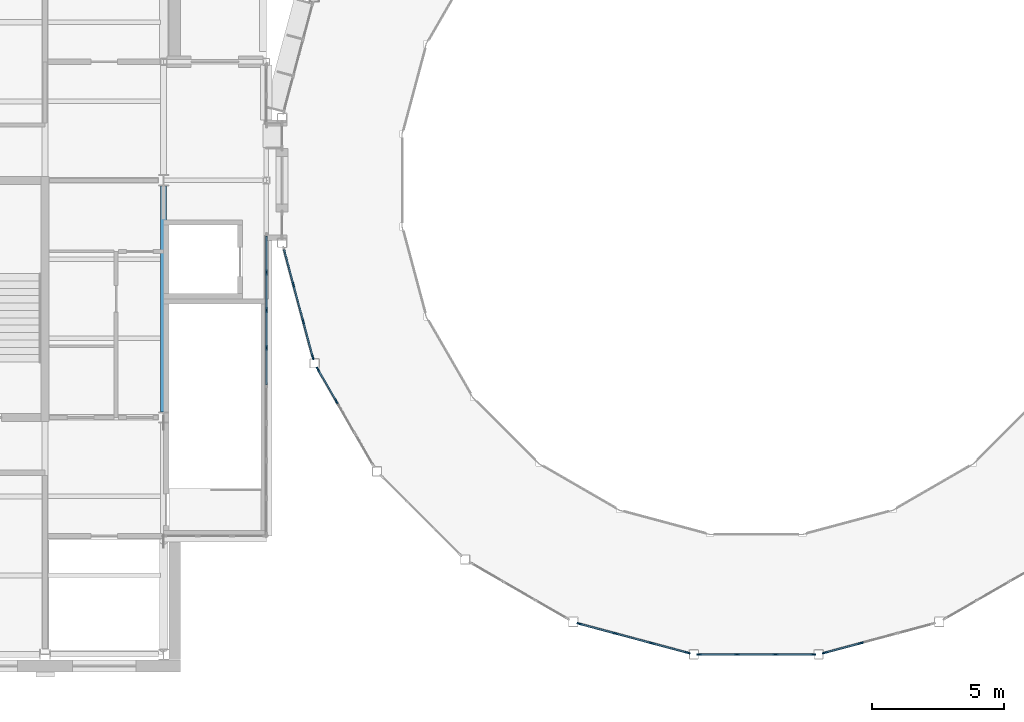
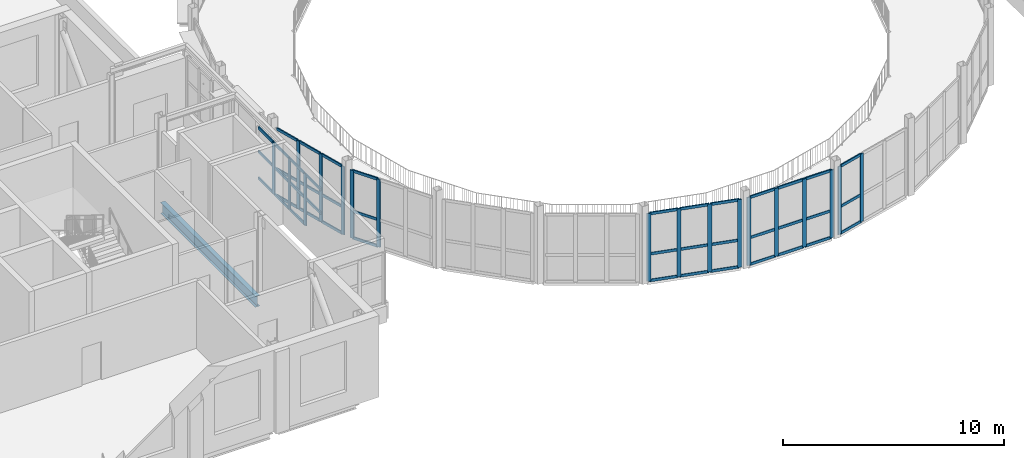
# One storey, part 13 of 74: 62 members, 1 beam, 6 elements without a shape of their own.
"""IFC4 building model written with IfcOpenShell, lengths in metres."""

from ifc_helpers import new_model, si_unit, direction, frame, origin, origin_2d, place, context, subcontext, project, spatial, rectangle, i_section, extrude, material, layer, layer_set, material_profile, profile_set, type_object, element, aggregate, save


model = new_model("IFC4")

# Units and contexts
model_context = context("Model", 3, precision=1e-05, world=origin(), true_north=direction((0.0, 1.0)))
body_context = subcontext(model_context, "Body", "Model", "MODEL_VIEW")
ifc_project = project(units=[si_unit("LENGTHUNIT", "METRE"), si_unit("AREAUNIT", "SQUARE_METRE"), si_unit("VOLUMEUNIT", "CUBIC_METRE"), si_unit("PLANEANGLEUNIT", "RADIAN"), si_unit("MASSUNIT", "GRAM", prefix="KILO")], contexts=[model_context])

# Site, building, storey
site_placement = place(None, origin())
site = spatial("IfcSite", under=ifc_project, at=site_placement, CompositionType="ELEMENT")
building_placement = place(site_placement, origin())
building = spatial("IfcBuilding", under=site, at=building_placement, Name="Hortulan Conservatory and Botanical Research Centre", CompositionType="ELEMENT")
storey_placement = place(building_placement, frame((0.0, 0.0, 6.0)))
storey = spatial("IfcBuildingStorey", under=building, at=storey_placement, Name="L01", CompositionType="ELEMENT", Elevation=6.0)

# Curtain wall, members
ifc_material_1 = material(Name="Bronze-finished aluminium", Category="aluminium")
ifc_layer = layer(ifc_material_1, 0.10009765625)
ifc_layer_set = layer_set([ifc_layer], Name="Bronze-framed Curtain Wall 1500 module")
curtain_wall_type = type_object("IfcCurtainWallType", Name="Bronze-framed Curtain Wall 1500 module", PredefinedType="NOTDEFINED", material=ifc_layer_set)
curtain_wall_1_placement = place(storey_placement, origin())
curtain_wall_1 = element("IfcCurtainWall", 1, at=curtain_wall_1_placement, inside=storey, type_object=curtain_wall_type, Name="Curtain wall", PredefinedType="NOTDEFINED")
ifc_material_profile_1 = material_profile(ifc_material_1, rectangle(XDim=0.06005859375, YDim=0.199951171875, at=origin_2d()), Name="Bronze Mullion 60x200")
ifc_profile_set_1 = profile_set([ifc_material_profile_1], Name="Bronze-finished aluminium")
member_type_1 = type_object("IfcMemberType", Name="Bronze Mullion 60x200", PredefinedType="MULLION", material=ifc_profile_set_1)
member_1_placement = place(storey_placement, frame((37.16357421875, 11.2880859375, 0.0), z_axis=(0.0, 0.0, 1.0), x_axis=(-0.965922372015, -0.258831936284, 0.0)))
member_1 = element("IfcMember", 2, at=member_1_placement, type_object=member_type_1, Name="CW1 mullion 1", PredefinedType="MULLION", context=body_context, shape_type="SweptSolid", body=[
    extrude(rectangle(XDim=0.06005859375, YDim=0.199951171875, at=origin_2d()), origin(), (0.0, 0.0, 1.0), 3.75),
])
member_2_placement = place(storey_placement, frame((36.79931640625, 12.64697265625, 0.0), z_axis=(0.0, 0.0, 1.0), x_axis=(-0.965922372015, -0.258831936284, 0.0)))
member_2 = element("IfcMember", 3, at=member_2_placement, type_object=member_type_1, Name="CW1 mullion 2", PredefinedType="MULLION", context=body_context, shape_type="SweptSolid", body=[
    extrude(rectangle(XDim=0.06005859375, YDim=0.199951171875, at=origin_2d()), origin(), (0.0, 0.0, 1.0), 3.75),
])
member_3_placement = place(storey_placement, frame((36.427490234375, 14.034912109375, 0.0), z_axis=(0.0, 0.0, 1.0), x_axis=(-0.965922372015, -0.258831936284, 0.0)))
member_3 = element("IfcMember", 4, at=member_3_placement, type_object=member_type_1, Name="CW1 mullion 3", PredefinedType="MULLION", context=body_context, shape_type="SweptSolid", body=[
    extrude(rectangle(XDim=0.06005859375, YDim=0.199951171875, at=origin_2d()), origin(), (0.0, 0.0, 1.0), 3.75),
])

curtain_wall_2_placement = place(storey_placement, origin())
curtain_wall_2 = element("IfcCurtainWall", 5, at=curtain_wall_2_placement, inside=storey, type_object=curtain_wall_type, Name="Curtain wall", PredefinedType="NOTDEFINED")
member_4_placement = place(storey_placement, frame((38.056396484375, 9.614990234375, 0.0), z_axis=(0.0, 0.0, 1.0), x_axis=(-0.866036280655, -0.499981160235, 0.0)))
member_4 = element("IfcMember", 6, at=member_4_placement, type_object=member_type_1, Name="CW1 mullion 3", PredefinedType="MULLION", context=body_context, shape_type="SweptSolid", body=[
    extrude(rectangle(XDim=0.06005859375, YDim=0.199951171875, at=origin_2d()), origin(), (0.0, 0.0, 1.0), 3.75),
])
member_5_placement = place(storey_placement, frame((37.361328125, 10.81884765625, 0.0), z_axis=(0.0, 0.0, 1.0), x_axis=(-0.866036280655, -0.499981160235, 0.0)))
member_5 = element("IfcMember", 7, at=member_5_placement, type_object=member_type_1, Name="CW1 mullion 4", PredefinedType="MULLION", context=body_context, shape_type="SweptSolid", body=[
    extrude(rectangle(XDim=0.06005859375, YDim=0.199951171875, at=origin_2d()), origin(), (0.0, 0.0, 1.0), 3.75),
])

curtain_wall_3_placement = place(storey_placement, origin())
curtain_wall_3 = element("IfcCurtainWall", 8, at=curtain_wall_3_placement, inside=storey, type_object=curtain_wall_type, Name="Curtain wall", PredefinedType="NOTDEFINED")
member_6_placement = place(storey_placement, frame((51.39404296875, 0.063232421875, 0.0), z_axis=(0.0, 0.0, 1.0), x_axis=(-0.258831936284, -0.965922372015, 0.0)))
member_6 = element("IfcMember", 9, at=member_6_placement, type_object=member_type_1, Name="CW1 mullion 1", PredefinedType="MULLION", context=body_context, shape_type="SweptSolid", body=[
    extrude(rectangle(XDim=0.06005859375, YDim=0.199951171875, at=origin_2d()), origin(), (0.0, 0.0, 1.0), 3.75),
])
member_7_placement = place(storey_placement, frame((50.034912109375, 0.427490234375, 0.0), z_axis=(0.0, 0.0, 1.0), x_axis=(-0.258831936284, -0.965922372015, 0.0)))
member_7 = element("IfcMember", 10, at=member_7_placement, type_object=member_type_1, Name="CW1 mullion 2", PredefinedType="MULLION", context=body_context, shape_type="SweptSolid", body=[
    extrude(rectangle(XDim=0.06005859375, YDim=0.199951171875, at=origin_2d()), origin(), (0.0, 0.0, 1.0), 3.75),
])
member_8_placement = place(storey_placement, frame((48.64697265625, 0.79931640625, 0.0), z_axis=(0.0, 0.0, 1.0), x_axis=(-0.258831936284, -0.965922372015, 0.0)))
member_8 = element("IfcMember", 11, at=member_8_placement, type_object=member_type_1, Name="CW1 mullion 3", PredefinedType="MULLION", context=body_context, shape_type="SweptSolid", body=[
    extrude(rectangle(XDim=0.06005859375, YDim=0.199951171875, at=origin_2d()), origin(), (0.0, 0.0, 1.0), 3.75),
])
member_9_placement = place(storey_placement, frame((47.2880859375, 1.16357421875, 0.0), z_axis=(0.0, 0.0, 1.0), x_axis=(-0.258831936284, -0.965922372015, 0.0)))
member_9 = element("IfcMember", 12, at=member_9_placement, type_object=member_type_1, Name="CW1 mullion 4", PredefinedType="MULLION", context=body_context, shape_type="SweptSolid", body=[
    extrude(rectangle(XDim=0.06005859375, YDim=0.199951171875, at=origin_2d()), origin(), (0.0, 0.0, 1.0), 3.75),
])

curtain_wall_4_placement = place(storey_placement, origin())
curtain_wall_4 = element("IfcCurtainWall", 13, at=curtain_wall_4_placement, inside=storey, type_object=curtain_wall_type, Name="Curtain wall", PredefinedType="NOTDEFINED")
member_10_placement = place(storey_placement, frame((56.1650390625, 0.0, 0.0), z_axis=(0.0, 0.0, 1.0), x_axis=(0.0, -1.0, 0.0)))
member_10 = element("IfcMember", 14, at=member_10_placement, type_object=member_type_1, Name="CW1 mullion 1", PredefinedType="MULLION", context=body_context, shape_type="SweptSolid", body=[
    extrude(rectangle(XDim=0.06005859375, YDim=0.199951171875, at=origin_2d()), origin(), (0.0, 0.0, 1.0), 3.75),
])
member_11_placement = place(storey_placement, frame((54.731689453125, 0.0, 0.0), z_axis=(0.0, 0.0, 1.0), x_axis=(0.0, -1.0, 0.0)))
member_11 = element("IfcMember", 15, at=member_11_placement, type_object=member_type_1, Name="CW1 mullion 2", PredefinedType="MULLION", context=body_context, shape_type="SweptSolid", body=[
    extrude(rectangle(XDim=0.06005859375, YDim=0.199951171875, at=origin_2d()), origin(), (0.0, 0.0, 1.0), 3.75),
])
member_12_placement = place(storey_placement, frame((53.268310546875, 0.0, 0.0), z_axis=(0.0, 0.0, 1.0), x_axis=(0.0, -1.0, 0.0)))
member_12 = element("IfcMember", 16, at=member_12_placement, type_object=member_type_1, Name="CW1 mullion 3", PredefinedType="MULLION", context=body_context, shape_type="SweptSolid", body=[
    extrude(rectangle(XDim=0.06005859375, YDim=0.199951171875, at=origin_2d()), origin(), (0.0, 0.0, 1.0), 3.75),
])
member_13_placement = place(storey_placement, frame((51.8349609375, 0.0, 0.0), z_axis=(0.0, 0.0, 1.0), x_axis=(0.0, -1.0, 0.0)))
member_13 = element("IfcMember", 17, at=member_13_placement, type_object=member_type_1, Name="CW1 mullion 4", PredefinedType="MULLION", context=body_context, shape_type="SweptSolid", body=[
    extrude(rectangle(XDim=0.06005859375, YDim=0.199951171875, at=origin_2d()), origin(), (0.0, 0.0, 1.0), 3.75),
])

curtain_wall_5_placement = place(storey_placement, origin())
curtain_wall_5 = element("IfcCurtainWall", 18, at=curtain_wall_5_placement, inside=storey, type_object=curtain_wall_type, Name="Curtain wall", PredefinedType="NOTDEFINED")
member_14_placement = place(storey_placement, frame((57.965087890625, 0.427490234375, 0.0), z_axis=(0.0, 0.0, 1.0), x_axis=(0.258831936284, -0.965922372015, 0.0)))
member_14 = element("IfcMember", 19, at=member_14_placement, type_object=member_type_1, Name="CW1 mullion 3", PredefinedType="MULLION", context=body_context, shape_type="SweptSolid", body=[
    extrude(rectangle(XDim=0.06005859375, YDim=0.199951171875, at=origin_2d()), origin(), (0.0, 0.0, 1.0), 3.75),
])
member_15_placement = place(storey_placement, frame((56.60595703125, 0.063232421875, 0.0), z_axis=(0.0, 0.0, 1.0), x_axis=(0.258831936284, -0.965922372015, 0.0)))
member_15 = element("IfcMember", 20, at=member_15_placement, type_object=member_type_1, Name="CW1 mullion 4", PredefinedType="MULLION", context=body_context, shape_type="SweptSolid", body=[
    extrude(rectangle(XDim=0.06005859375, YDim=0.199951171875, at=origin_2d()), origin(), (0.0, 0.0, 1.0), 3.75),
])

curtain_wall_6_placement = place(storey_placement, origin())
curtain_wall_6 = element("IfcCurtainWall", 21, at=curtain_wall_6_placement, inside=storey, type_object=curtain_wall_type, Name="Curtain wall", PredefinedType="NOTDEFINED")
member_16_placement = place(storey_placement, frame((35.39990234375, 14.50146484375, 0.89990234375), z_axis=(0.0, 0.0, 1.0), x_axis=(1.0, 0.0, 0.0)))
member_16 = element("IfcMember", 22, at=member_16_placement, type_object=member_type_1, Name="CW1 mullion 2", PredefinedType="MULLION", context=body_context, shape_type="SweptSolid", body=[
    extrude(rectangle(XDim=0.06005859375, YDim=0.199951171875, at=origin_2d()), origin(), (0.0, 0.0, 1.0), 2.840087890625),
])
member_17_placement = place(storey_placement, frame((35.39990234375, 13.07275390625, 0.89990234375), z_axis=(0.0, 0.0, 1.0), x_axis=(1.0, 0.0, 0.0)))
member_17 = element("IfcMember", 23, at=member_17_placement, type_object=member_type_1, Name="CW1 mullion 3", PredefinedType="MULLION", context=body_context, shape_type="SweptSolid", body=[
    extrude(rectangle(XDim=0.06005859375, YDim=0.199951171875, at=origin_2d()), origin(), (0.0, 0.0, 1.0), 2.840087890625),
])
member_18_placement = place(storey_placement, frame((35.39990234375, 11.64404296875, 0.89990234375), z_axis=(0.0, 0.0, 1.0), x_axis=(1.0, 0.0, 0.0)))
member_18 = element("IfcMember", 24, at=member_18_placement, type_object=member_type_1, Name="CW1 mullion 4", PredefinedType="MULLION", context=body_context, shape_type="SweptSolid", body=[
    extrude(rectangle(XDim=0.06005859375, YDim=0.199951171875, at=origin_2d()), origin(), (0.0, 0.0, 1.0), 2.840087890625),
])

# Member
ifc_material_profile_2 = material_profile(ifc_material_1, rectangle(XDim=0.06005859375, YDim=0.14990234375, at=origin_2d()), Name="Bronze Transom 60x150")
ifc_profile_set_2 = profile_set([ifc_material_profile_2], Name="Bronze-finished aluminium")
member_type_2 = type_object("IfcMemberType", Name="Bronze Transom 60x150", PredefinedType="USERDEFINED", material=ifc_profile_set_2)
member_19_placement = place(storey_placement, frame((37.15576171875, 11.31689453125, 0.030029296875), z_axis=(-0.258835745824, 0.965921351189, 0.0), x_axis=(-0.965921351189, -0.258835745824, 0.0)))
member_19 = element("IfcMember", 25, at=member_19_placement, type_object=member_type_2, Name="CW1 transom 1.1", ObjectType="TRANSOM", PredefinedType="USERDEFINED", context=body_context, shape_type="SweptSolid", body=[
    extrude(rectangle(XDim=0.06005859375, YDim=0.14990234375, at=origin_2d()), origin(), (0.0, 0.0, 1.0), 1.346923828125),
])

member_20_placement = place(storey_placement, frame((37.15576171875, 11.31689453125, 1.5), z_axis=(-0.258835745824, 0.965921351189, 0.0), x_axis=(-0.965921351189, -0.258835745824, 0.0)))
member_20 = element("IfcMember", 26, at=member_20_placement, type_object=member_type_2, Name="CW1 transom 1.2", ObjectType="TRANSOM", PredefinedType="USERDEFINED", context=body_context, shape_type="SweptSolid", body=[
    extrude(rectangle(XDim=0.06005859375, YDim=0.14990234375, at=origin_2d()), origin(), (0.0, 0.0, 1.0), 1.346923828125),
])

member_21_placement = place(storey_placement, frame((37.15576171875, 11.31689453125, 3.719970703125), z_axis=(-0.258835745824, 0.965921351189, 0.0), x_axis=(-0.965921351189, -0.258835745824, 0.0)))
member_21 = element("IfcMember", 27, at=member_21_placement, type_object=member_type_2, Name="CW1 transom 1.3", ObjectType="TRANSOM", PredefinedType="USERDEFINED", context=body_context, shape_type="SweptSolid", body=[
    extrude(rectangle(XDim=0.06005859375, YDim=0.14990234375, at=origin_2d()), origin(), (0.0, 0.0, 1.0), 1.346923828125),
])

member_22_placement = place(storey_placement, frame((36.79150390625, 12.676025390625, 0.030029296875), z_axis=(-0.258688817498, 0.965960711262, 0.0), x_axis=(-0.965960711262, -0.258688817498, 0.0)))
member_22 = element("IfcMember", 28, at=member_22_placement, type_object=member_type_2, Name="CW1 transom 2.1", ObjectType="TRANSOM", PredefinedType="USERDEFINED", context=body_context, shape_type="SweptSolid", body=[
    extrude(rectangle(XDim=0.06005859375, YDim=0.14990234375, at=origin_2d()), origin(), (0.0, 0.0, 1.0), 1.376953125),
])

member_23_placement = place(storey_placement, frame((36.79150390625, 12.676025390625, 1.5), z_axis=(-0.258688817498, 0.965960711262, 0.0), x_axis=(-0.965960711262, -0.258688817498, 0.0)))
member_23 = element("IfcMember", 29, at=member_23_placement, type_object=member_type_2, Name="CW1 transom 2.2", ObjectType="TRANSOM", PredefinedType="USERDEFINED", context=body_context, shape_type="SweptSolid", body=[
    extrude(rectangle(XDim=0.06005859375, YDim=0.14990234375, at=origin_2d()), origin(), (0.0, 0.0, 1.0), 1.376953125),
])

member_24_placement = place(storey_placement, frame((36.79150390625, 12.676025390625, 3.719970703125), z_axis=(-0.258688817498, 0.965960711262, 0.0), x_axis=(-0.965960711262, -0.258688817498, 0.0)))
member_24 = element("IfcMember", 30, at=member_24_placement, type_object=member_type_2, Name="CW1 transom 2.3", ObjectType="TRANSOM", PredefinedType="USERDEFINED", context=body_context, shape_type="SweptSolid", body=[
    extrude(rectangle(XDim=0.06005859375, YDim=0.14990234375, at=origin_2d()), origin(), (0.0, 0.0, 1.0), 1.376953125),
])

member_25_placement = place(storey_placement, frame((36.419677734375, 14.06396484375, 0.030029296875), z_axis=(-0.258835745824, 0.965921351189, 0.0), x_axis=(-0.965921351189, -0.258835745824, 0.0)))
member_25 = element("IfcMember", 31, at=member_25_placement, type_object=member_type_2, Name="CW1 transom 3.1", ObjectType="TRANSOM", PredefinedType="USERDEFINED", context=body_context, shape_type="SweptSolid", body=[
    extrude(rectangle(XDim=0.06005859375, YDim=0.14990234375, at=origin_2d()), origin(), (0.0, 0.0, 1.0), 1.346923828125),
])

member_26_placement = place(storey_placement, frame((36.419677734375, 14.06396484375, 1.5), z_axis=(-0.258835745824, 0.965921351189, 0.0), x_axis=(-0.965921351189, -0.258835745824, 0.0)))
member_26 = element("IfcMember", 32, at=member_26_placement, type_object=member_type_2, Name="CW1 transom 3.2", ObjectType="TRANSOM", PredefinedType="USERDEFINED", context=body_context, shape_type="SweptSolid", body=[
    extrude(rectangle(XDim=0.06005859375, YDim=0.14990234375, at=origin_2d()), origin(), (0.0, 0.0, 1.0), 1.346923828125),
])

member_27_placement = place(storey_placement, frame((36.419677734375, 14.06396484375, 3.719970703125), z_axis=(-0.258835745824, 0.965921351189, 0.0), x_axis=(-0.965921351189, -0.258835745824, 0.0)))
member_27 = element("IfcMember", 33, at=member_27_placement, type_object=member_type_2, Name="CW1 transom 3.3", ObjectType="TRANSOM", PredefinedType="USERDEFINED", context=body_context, shape_type="SweptSolid", body=[
    extrude(rectangle(XDim=0.06005859375, YDim=0.14990234375, at=origin_2d()), origin(), (0.0, 0.0, 1.0), 1.346923828125),
])

aggregate(curtain_wall_1, [member_1, member_2, member_3, member_19, member_20, member_21, member_22, member_23, member_24, member_25, member_26, member_27])

member_28_placement = place(storey_placement, frame((38.04150390625, 9.640869140625, 0.030029296875), z_axis=(-0.499928984136, 0.866066400931, 0.0), x_axis=(-0.866066400931, -0.499928984136, 0.0)))
member_28 = element("IfcMember", 34, at=member_28_placement, type_object=member_type_2, Name="CW1 transom 3.1", ObjectType="TRANSOM", PredefinedType="USERDEFINED", context=body_context, shape_type="SweptSolid", body=[
    extrude(rectangle(XDim=0.06005859375, YDim=0.14990234375, at=origin_2d()), origin(), (0.0, 0.0, 1.0), 1.330322265625),
])

member_29_placement = place(storey_placement, frame((38.04150390625, 9.640869140625, 1.5), z_axis=(-0.499928984136, 0.866066400931, 0.0), x_axis=(-0.866066400931, -0.499928984136, 0.0)))
member_29 = element("IfcMember", 35, at=member_29_placement, type_object=member_type_2, Name="CW1 transom 3.2", ObjectType="TRANSOM", PredefinedType="USERDEFINED", context=body_context, shape_type="SweptSolid", body=[
    extrude(rectangle(XDim=0.06005859375, YDim=0.14990234375, at=origin_2d()), origin(), (0.0, 0.0, 1.0), 1.330322265625),
])

member_30_placement = place(storey_placement, frame((38.04150390625, 9.640869140625, 3.719970703125), z_axis=(-0.499928984136, 0.866066400931, 0.0), x_axis=(-0.866066400931, -0.499928984136, 0.0)))
member_30 = element("IfcMember", 36, at=member_30_placement, type_object=member_type_2, Name="CW1 transom 3.3", ObjectType="TRANSOM", PredefinedType="USERDEFINED", context=body_context, shape_type="SweptSolid", body=[
    extrude(rectangle(XDim=0.06005859375, YDim=0.14990234375, at=origin_2d()), origin(), (0.0, 0.0, 1.0), 1.330322265625),
])

aggregate(curtain_wall_2, [member_4, member_5, member_28, member_29, member_30])

member_31_placement = place(storey_placement, frame((51.364990234375, 0.071044921875, 0.030029296875), z_axis=(-0.965921351189, 0.258835745824, 0.0), x_axis=(-0.258835745824, -0.965921351189, 0.0)))
member_31 = element("IfcMember", 37, at=member_31_placement, type_object=member_type_2, Name="CW1 transom 1.1", ObjectType="TRANSOM", PredefinedType="USERDEFINED", context=body_context, shape_type="SweptSolid", body=[
    extrude(rectangle(XDim=0.06005859375, YDim=0.14990234375, at=origin_2d()), origin(), (0.0, 0.0, 1.0), 1.346923828125),
])

member_32_placement = place(storey_placement, frame((51.364990234375, 0.071044921875, 1.5), z_axis=(-0.965921351189, 0.258835745824, 0.0), x_axis=(-0.258835745824, -0.965921351189, 0.0)))
member_32 = element("IfcMember", 38, at=member_32_placement, type_object=member_type_2, Name="CW1 transom 1.2", ObjectType="TRANSOM", PredefinedType="USERDEFINED", context=body_context, shape_type="SweptSolid", body=[
    extrude(rectangle(XDim=0.06005859375, YDim=0.14990234375, at=origin_2d()), origin(), (0.0, 0.0, 1.0), 1.346923828125),
])

member_33_placement = place(storey_placement, frame((51.364990234375, 0.071044921875, 3.719970703125), z_axis=(-0.965921351189, 0.258835745824, 0.0), x_axis=(-0.258835745824, -0.965921351189, 0.0)))
member_33 = element("IfcMember", 39, at=member_33_placement, type_object=member_type_2, Name="CW1 transom 1.3", ObjectType="TRANSOM", PredefinedType="USERDEFINED", context=body_context, shape_type="SweptSolid", body=[
    extrude(rectangle(XDim=0.06005859375, YDim=0.14990234375, at=origin_2d()), origin(), (0.0, 0.0, 1.0), 1.346923828125),
])

member_34_placement = place(storey_placement, frame((50.006103515625, 0.435302734375, 0.030029296875), z_axis=(-0.965960711262, 0.258688817498, 0.0), x_axis=(-0.258688817498, -0.965960711262, 0.0)))
member_34 = element("IfcMember", 40, at=member_34_placement, type_object=member_type_2, Name="CW1 transom 2.1", ObjectType="TRANSOM", PredefinedType="USERDEFINED", context=body_context, shape_type="SweptSolid", body=[
    extrude(rectangle(XDim=0.06005859375, YDim=0.14990234375, at=origin_2d()), origin(), (0.0, 0.0, 1.0), 1.376953125),
])

member_35_placement = place(storey_placement, frame((50.006103515625, 0.435302734375, 1.5), z_axis=(-0.965960711262, 0.258688817498, 0.0), x_axis=(-0.258688817498, -0.965960711262, 0.0)))
member_35 = element("IfcMember", 41, at=member_35_placement, type_object=member_type_2, Name="CW1 transom 2.2", ObjectType="TRANSOM", PredefinedType="USERDEFINED", context=body_context, shape_type="SweptSolid", body=[
    extrude(rectangle(XDim=0.06005859375, YDim=0.14990234375, at=origin_2d()), origin(), (0.0, 0.0, 1.0), 1.376953125),
])

member_36_placement = place(storey_placement, frame((50.006103515625, 0.435302734375, 3.719970703125), z_axis=(-0.965960711262, 0.258688817498, 0.0), x_axis=(-0.258688817498, -0.965960711262, 0.0)))
member_36 = element("IfcMember", 42, at=member_36_placement, type_object=member_type_2, Name="CW1 transom 2.3", ObjectType="TRANSOM", PredefinedType="USERDEFINED", context=body_context, shape_type="SweptSolid", body=[
    extrude(rectangle(XDim=0.06005859375, YDim=0.14990234375, at=origin_2d()), origin(), (0.0, 0.0, 1.0), 1.376953125),
])

member_37_placement = place(storey_placement, frame((48.617919921875, 0.80712890625, 0.030029296875), z_axis=(-0.965921351189, 0.258835745824, 0.0), x_axis=(-0.258835745824, -0.965921351189, 0.0)))
member_37 = element("IfcMember", 43, at=member_37_placement, type_object=member_type_2, Name="CW1 transom 3.1", ObjectType="TRANSOM", PredefinedType="USERDEFINED", context=body_context, shape_type="SweptSolid", body=[
    extrude(rectangle(XDim=0.06005859375, YDim=0.14990234375, at=origin_2d()), origin(), (0.0, 0.0, 1.0), 1.346923828125),
])

member_38_placement = place(storey_placement, frame((48.617919921875, 0.80712890625, 1.5), z_axis=(-0.965921351189, 0.258835745824, 0.0), x_axis=(-0.258835745824, -0.965921351189, 0.0)))
member_38 = element("IfcMember", 44, at=member_38_placement, type_object=member_type_2, Name="CW1 transom 3.2", ObjectType="TRANSOM", PredefinedType="USERDEFINED", context=body_context, shape_type="SweptSolid", body=[
    extrude(rectangle(XDim=0.06005859375, YDim=0.14990234375, at=origin_2d()), origin(), (0.0, 0.0, 1.0), 1.346923828125),
])

member_39_placement = place(storey_placement, frame((48.617919921875, 0.80712890625, 3.719970703125), z_axis=(-0.965921351189, 0.258835745824, 0.0), x_axis=(-0.258835745824, -0.965921351189, 0.0)))
member_39 = element("IfcMember", 45, at=member_39_placement, type_object=member_type_2, Name="CW1 transom 3.3", ObjectType="TRANSOM", PredefinedType="USERDEFINED", context=body_context, shape_type="SweptSolid", body=[
    extrude(rectangle(XDim=0.06005859375, YDim=0.14990234375, at=origin_2d()), origin(), (0.0, 0.0, 1.0), 1.346923828125),
])

aggregate(curtain_wall_3, [member_6, member_7, member_8, member_9, member_31, member_32, member_33, member_34, member_35, member_36, member_37, member_38, member_39])

member_40_placement = place(storey_placement, frame((56.135009765625, 0.0, 0.030029296875), z_axis=(-1.0, 0.0, 0.0), x_axis=(0.0, -1.0, 0.0)))
member_40 = element("IfcMember", 46, at=member_40_placement, type_object=member_type_2, Name="CW1 transom 1.1", ObjectType="TRANSOM", PredefinedType="USERDEFINED", context=body_context, shape_type="SweptSolid", body=[
    extrude(rectangle(XDim=0.06005859375, YDim=0.14990234375, at=origin_2d()), origin(), (0.0, 0.0, 1.0), 1.373291015625),
])

member_41_placement = place(storey_placement, frame((56.135009765625, 0.0, 1.5), z_axis=(-1.0, 0.0, 0.0), x_axis=(0.0, -1.0, 0.0)))
member_41 = element("IfcMember", 47, at=member_41_placement, type_object=member_type_2, Name="CW1 transom 1.2", ObjectType="TRANSOM", PredefinedType="USERDEFINED", context=body_context, shape_type="SweptSolid", body=[
    extrude(rectangle(XDim=0.06005859375, YDim=0.14990234375, at=origin_2d()), origin(), (0.0, 0.0, 1.0), 1.373291015625),
])

member_42_placement = place(storey_placement, frame((56.135009765625, 0.0, 3.719970703125), z_axis=(-1.0, 0.0, 0.0), x_axis=(0.0, -1.0, 0.0)))
member_42 = element("IfcMember", 48, at=member_42_placement, type_object=member_type_2, Name="CW1 transom 1.3", ObjectType="TRANSOM", PredefinedType="USERDEFINED", context=body_context, shape_type="SweptSolid", body=[
    extrude(rectangle(XDim=0.06005859375, YDim=0.14990234375, at=origin_2d()), origin(), (0.0, 0.0, 1.0), 1.373291015625),
])

member_43_placement = place(storey_placement, frame((54.70166015625, 0.0, 0.030029296875), z_axis=(-1.0, 0.0, 0.0), x_axis=(0.0, -1.0, 0.0)))
member_43 = element("IfcMember", 49, at=member_43_placement, type_object=member_type_2, Name="CW1 transom 2.1", ObjectType="TRANSOM", PredefinedType="USERDEFINED", context=body_context, shape_type="SweptSolid", body=[
    extrude(rectangle(XDim=0.06005859375, YDim=0.14990234375, at=origin_2d()), origin(), (0.0, 0.0, 1.0), 1.4033203125),
])

member_44_placement = place(storey_placement, frame((54.70166015625, 0.0, 1.5), z_axis=(-1.0, 0.0, 0.0), x_axis=(0.0, -1.0, 0.0)))
member_44 = element("IfcMember", 50, at=member_44_placement, type_object=member_type_2, Name="CW1 transom 2.2", ObjectType="TRANSOM", PredefinedType="USERDEFINED", context=body_context, shape_type="SweptSolid", body=[
    extrude(rectangle(XDim=0.06005859375, YDim=0.14990234375, at=origin_2d()), origin(), (0.0, 0.0, 1.0), 1.4033203125),
])

member_45_placement = place(storey_placement, frame((54.70166015625, 0.0, 3.719970703125), z_axis=(-1.0, 0.0, 0.0), x_axis=(0.0, -1.0, 0.0)))
member_45 = element("IfcMember", 51, at=member_45_placement, type_object=member_type_2, Name="CW1 transom 2.3", ObjectType="TRANSOM", PredefinedType="USERDEFINED", context=body_context, shape_type="SweptSolid", body=[
    extrude(rectangle(XDim=0.06005859375, YDim=0.14990234375, at=origin_2d()), origin(), (0.0, 0.0, 1.0), 1.4033203125),
])

member_46_placement = place(storey_placement, frame((53.23828125, 0.0, 0.030029296875), z_axis=(-1.0, 0.0, 0.0), x_axis=(0.0, -1.0, 0.0)))
member_46 = element("IfcMember", 52, at=member_46_placement, type_object=member_type_2, Name="CW1 transom 3.1", ObjectType="TRANSOM", PredefinedType="USERDEFINED", context=body_context, shape_type="SweptSolid", body=[
    extrude(rectangle(XDim=0.06005859375, YDim=0.14990234375, at=origin_2d()), origin(), (0.0, 0.0, 1.0), 1.373291015625),
])

member_47_placement = place(storey_placement, frame((53.23828125, 0.0, 1.5), z_axis=(-1.0, 0.0, 0.0), x_axis=(0.0, -1.0, 0.0)))
member_47 = element("IfcMember", 53, at=member_47_placement, type_object=member_type_2, Name="CW1 transom 3.2", ObjectType="TRANSOM", PredefinedType="USERDEFINED", context=body_context, shape_type="SweptSolid", body=[
    extrude(rectangle(XDim=0.06005859375, YDim=0.14990234375, at=origin_2d()), origin(), (0.0, 0.0, 1.0), 1.373291015625),
])

member_48_placement = place(storey_placement, frame((53.23828125, 0.0, 3.719970703125), z_axis=(-1.0, 0.0, 0.0), x_axis=(0.0, -1.0, 0.0)))
member_48 = element("IfcMember", 54, at=member_48_placement, type_object=member_type_2, Name="CW1 transom 3.3", ObjectType="TRANSOM", PredefinedType="USERDEFINED", context=body_context, shape_type="SweptSolid", body=[
    extrude(rectangle(XDim=0.06005859375, YDim=0.14990234375, at=origin_2d()), origin(), (0.0, 0.0, 1.0), 1.373291015625),
])

aggregate(curtain_wall_4, [member_10, member_11, member_12, member_13, member_40, member_41, member_42, member_43, member_44, member_45, member_46, member_47, member_48])

member_49_placement = place(storey_placement, frame((57.93603515625, 0.419677734375, 0.030029296875), z_axis=(-0.965921351189, -0.258835745824, 0.0), x_axis=(0.258835745824, -0.965921351189, 0.0)))
member_49 = element("IfcMember", 55, at=member_49_placement, type_object=member_type_2, Name="CW1 transom 3.1", ObjectType="TRANSOM", PredefinedType="USERDEFINED", context=body_context, shape_type="SweptSolid", body=[
    extrude(rectangle(XDim=0.06005859375, YDim=0.14990234375, at=origin_2d()), origin(), (0.0, 0.0, 1.0), 1.346923828125),
])

member_50_placement = place(storey_placement, frame((57.93603515625, 0.419677734375, 1.5), z_axis=(-0.965921351189, -0.258835745824, 0.0), x_axis=(0.258835745824, -0.965921351189, 0.0)))
member_50 = element("IfcMember", 56, at=member_50_placement, type_object=member_type_2, Name="CW1 transom 3.2", ObjectType="TRANSOM", PredefinedType="USERDEFINED", context=body_context, shape_type="SweptSolid", body=[
    extrude(rectangle(XDim=0.06005859375, YDim=0.14990234375, at=origin_2d()), origin(), (0.0, 0.0, 1.0), 1.346923828125),
])

member_51_placement = place(storey_placement, frame((57.93603515625, 0.419677734375, 3.719970703125), z_axis=(-0.965921351189, -0.258835745824, 0.0), x_axis=(0.258835745824, -0.965921351189, 0.0)))
member_51 = element("IfcMember", 57, at=member_51_placement, type_object=member_type_2, Name="CW1 transom 3.3", ObjectType="TRANSOM", PredefinedType="USERDEFINED", context=body_context, shape_type="SweptSolid", body=[
    extrude(rectangle(XDim=0.06005859375, YDim=0.14990234375, at=origin_2d()), origin(), (0.0, 0.0, 1.0), 1.346923828125),
])

aggregate(curtain_wall_5, [member_14, member_15, member_49, member_50, member_51])

member_52_placement = place(storey_placement, frame((35.39990234375, 15.870361328125, 0.929931640625), z_axis=(0.0, -1.0, 0.0), x_axis=(1.0, 0.0, 0.0)))
member_52 = element("IfcMember", 58, at=member_52_placement, type_object=member_type_2, Name="CW1 transom 1.1", ObjectType="TRANSOM", PredefinedType="USERDEFINED", context=body_context, shape_type="SweptSolid", body=[
    extrude(rectangle(XDim=0.06005859375, YDim=0.14990234375, at=origin_2d()), origin(), (0.0, 0.0, 1.0), 1.3388671875),
])

member_53_placement = place(storey_placement, frame((35.39990234375, 15.870361328125, 2.39990234375), z_axis=(0.0, -1.0, 0.0), x_axis=(1.0, 0.0, 0.0)))
member_53 = element("IfcMember", 59, at=member_53_placement, type_object=member_type_2, Name="CW1 transom 1.2", ObjectType="TRANSOM", PredefinedType="USERDEFINED", context=body_context, shape_type="SweptSolid", body=[
    extrude(rectangle(XDim=0.06005859375, YDim=0.14990234375, at=origin_2d()), origin(), (0.0, 0.0, 1.0), 1.3388671875),
])

member_54_placement = place(storey_placement, frame((35.39990234375, 15.870361328125, 3.7099609375), z_axis=(0.0, -1.0, 0.0), x_axis=(1.0, 0.0, 0.0)))
member_54 = element("IfcMember", 60, at=member_54_placement, type_object=member_type_2, Name="CW1 transom 1.3", ObjectType="TRANSOM", PredefinedType="USERDEFINED", context=body_context, shape_type="SweptSolid", body=[
    extrude(rectangle(XDim=0.06005859375, YDim=0.14990234375, at=origin_2d()), origin(), (0.0, 0.0, 1.0), 1.3388671875),
])

member_55_placement = place(storey_placement, frame((35.39990234375, 14.471435546875, 0.929931640625), z_axis=(0.0, -1.0, 0.0), x_axis=(1.0, 0.0, 0.0)))
member_55 = element("IfcMember", 61, at=member_55_placement, type_object=member_type_2, Name="CW1 transom 2.1", ObjectType="TRANSOM", PredefinedType="USERDEFINED", context=body_context, shape_type="SweptSolid", body=[
    extrude(rectangle(XDim=0.06005859375, YDim=0.14990234375, at=origin_2d()), origin(), (0.0, 0.0, 1.0), 1.36865234375),
])

member_56_placement = place(storey_placement, frame((35.39990234375, 14.471435546875, 2.39990234375), z_axis=(0.0, -1.0, 0.0), x_axis=(1.0, 0.0, 0.0)))
member_56 = element("IfcMember", 62, at=member_56_placement, type_object=member_type_2, Name="CW1 transom 2.2", ObjectType="TRANSOM", PredefinedType="USERDEFINED", context=body_context, shape_type="SweptSolid", body=[
    extrude(rectangle(XDim=0.06005859375, YDim=0.14990234375, at=origin_2d()), origin(), (0.0, 0.0, 1.0), 1.36865234375),
])

member_57_placement = place(storey_placement, frame((35.39990234375, 14.471435546875, 3.7099609375), z_axis=(0.0, -1.0, 0.0), x_axis=(1.0, 0.0, 0.0)))
member_57 = element("IfcMember", 63, at=member_57_placement, type_object=member_type_2, Name="CW1 transom 2.3", ObjectType="TRANSOM", PredefinedType="USERDEFINED", context=body_context, shape_type="SweptSolid", body=[
    extrude(rectangle(XDim=0.06005859375, YDim=0.14990234375, at=origin_2d()), origin(), (0.0, 0.0, 1.0), 1.36865234375),
])

member_58_placement = place(storey_placement, frame((35.39990234375, 13.042724609375, 0.929931640625), z_axis=(0.0, -1.0, 0.0), x_axis=(1.0, 0.0, 0.0)))
member_58 = element("IfcMember", 64, at=member_58_placement, type_object=member_type_2, Name="CW1 transom 3.1", ObjectType="TRANSOM", PredefinedType="USERDEFINED", context=body_context, shape_type="SweptSolid", body=[
    extrude(rectangle(XDim=0.06005859375, YDim=0.14990234375, at=origin_2d()), origin(), (0.0, 0.0, 1.0), 1.368896484375),
])

member_59_placement = place(storey_placement, frame((35.39990234375, 13.042724609375, 2.39990234375), z_axis=(0.0, -1.0, 0.0), x_axis=(1.0, 0.0, 0.0)))
member_59 = element("IfcMember", 65, at=member_59_placement, type_object=member_type_2, Name="CW1 transom 3.2", ObjectType="TRANSOM", PredefinedType="USERDEFINED", context=body_context, shape_type="SweptSolid", body=[
    extrude(rectangle(XDim=0.06005859375, YDim=0.14990234375, at=origin_2d()), origin(), (0.0, 0.0, 1.0), 1.368896484375),
])

member_60_placement = place(storey_placement, frame((35.39990234375, 13.042724609375, 3.7099609375), z_axis=(0.0, -1.0, 0.0), x_axis=(1.0, 0.0, 0.0)))
member_60 = element("IfcMember", 66, at=member_60_placement, type_object=member_type_2, Name="CW1 transom 3.3", ObjectType="TRANSOM", PredefinedType="USERDEFINED", context=body_context, shape_type="SweptSolid", body=[
    extrude(rectangle(XDim=0.06005859375, YDim=0.14990234375, at=origin_2d()), origin(), (0.0, 0.0, 1.0), 1.368896484375),
])

member_61_placement = place(storey_placement, frame((35.39990234375, 11.614013671875, 2.39990234375), z_axis=(0.0, -1.0, 0.0), x_axis=(1.0, 0.0, 0.0)))
member_61 = element("IfcMember", 67, at=member_61_placement, type_object=member_type_2, Name="CW1 transom 4.2", ObjectType="TRANSOM", PredefinedType="USERDEFINED", context=body_context, shape_type="SweptSolid", body=[
    extrude(rectangle(XDim=0.06005859375, YDim=0.14990234375, at=origin_2d()), origin(), (0.0, 0.0, 1.0), 1.368896484375),
])

member_62_placement = place(storey_placement, frame((35.39990234375, 11.614013671875, 3.7099609375), z_axis=(0.0, -1.0, 0.0), x_axis=(1.0, 0.0, 0.0)))
member_62 = element("IfcMember", 68, at=member_62_placement, type_object=member_type_2, Name="CW1 transom 4.3", ObjectType="TRANSOM", PredefinedType="USERDEFINED", context=body_context, shape_type="SweptSolid", body=[
    extrude(rectangle(XDim=0.06005859375, YDim=0.14990234375, at=origin_2d()), origin(), (0.0, 0.0, 1.0), 1.368896484375),
])

aggregate(curtain_wall_6, [member_16, member_17, member_18, member_52, member_53, member_54, member_55, member_56, member_57, member_58, member_59, member_60, member_61, member_62])

# Beam
ifc_material_2 = material(Name="Steel Grade 300PLUS (AS/NZS 3679.1, 280 MPa minimum yield)", Category="steel")
ifc_material_profile_3 = material_profile(ifc_material_2, i_section(OverallWidth=0.22802734375, OverallDepth=0.60693359375, WebThickness=0.01123046875, FlangeThickness=0.017333984375, FilletRadius=0.013916015625, at=origin_2d()), Name="610UB113")
ifc_profile_set_3 = profile_set([ifc_material_profile_3], Name="Steel Grade 300PLUS (AS/NZS 3679.1, 280 MPa minimum yield)")
beam_type = type_object("IfcBeamType", Name="Primary Beam 610UB113", PredefinedType="BEAM", material=ifc_profile_set_3)
beam_placement = place(storey_placement, frame((31.5, 9.2109375, -0.473388671875), z_axis=(0.0, 1.0, 0.0), x_axis=(-1.0, 0.0, 0.0)))
element("IfcBeam", 69, at=beam_placement, inside=storey, type_object=beam_type, Name="610UB113 girder", PredefinedType="BEAM", context=body_context, shape_type="SweptSolid", body=[
    extrude(i_section(OverallWidth=0.22802734375, OverallDepth=0.60693359375, WebThickness=0.01123046875, FlangeThickness=0.017333984375, FilletRadius=0.013916015625, at=origin_2d()), origin(), (0.0, 0.0, 1.0), 8.578125),
])

save(model, "model.ifc")
